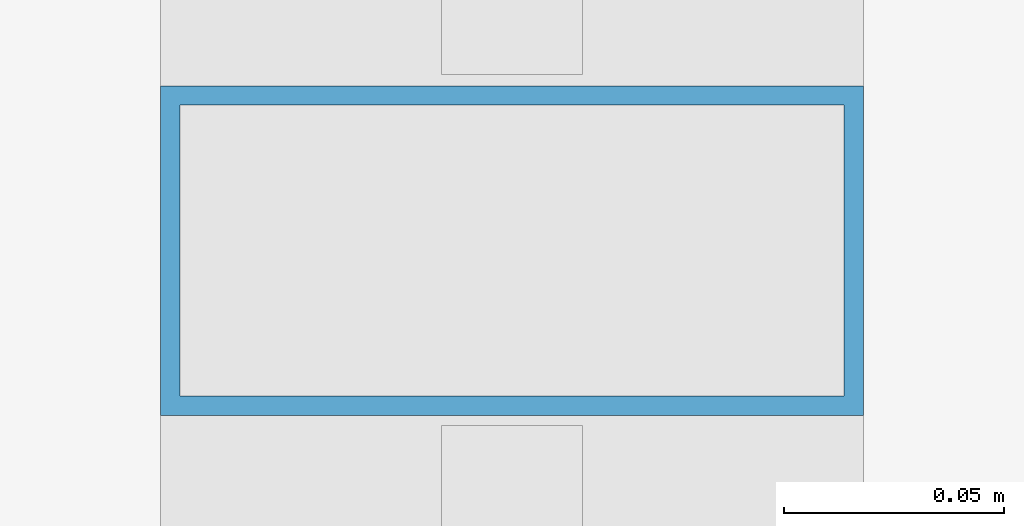
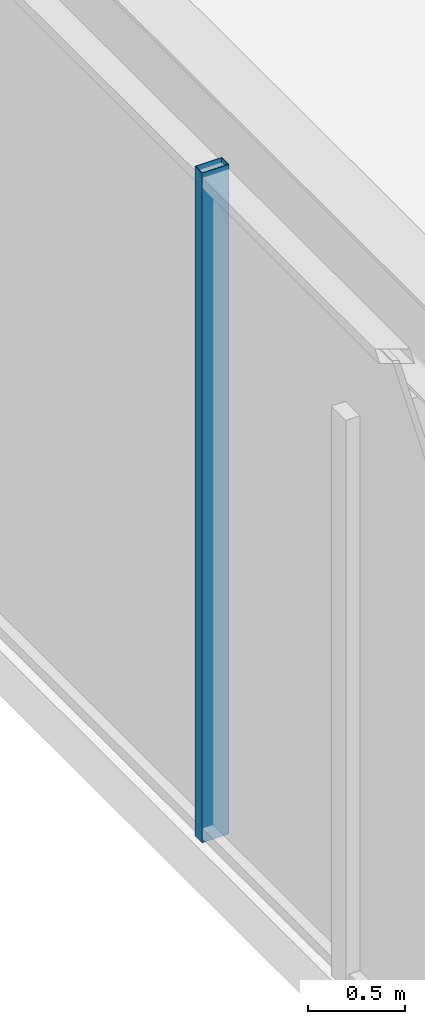
# One storey, part 26 of 47: 1 member, 1 element without a shape of its own.
"""IFC4 building model written with IfcOpenShell, lengths in metres."""

from ifc_helpers import new_model, si_unit, direction, frame, origin, origin_2d, place, context, subcontext, project, spatial, hollow_rectangle, extrude, material, material_profile, profile_set, type_object, element, aggregate, save


model = new_model("IFC4")

# Units and contexts
model_context = context("Model", 3, precision=1e-05, world=origin(), true_north=direction((0.0, 1.0)))
body_context = subcontext(model_context, "Body", "Model", "MODEL_VIEW")
ifc_project = project(units=[si_unit("LENGTHUNIT", "METRE"), si_unit("AREAUNIT", "SQUARE_METRE"), si_unit("VOLUMEUNIT", "CUBIC_METRE"), si_unit("PLANEANGLEUNIT", "RADIAN"), si_unit("MASSUNIT", "GRAM", prefix="KILO")], contexts=[model_context])

# Site, building, storey
site_placement = place(None, origin())
site = spatial("IfcSite", under=ifc_project, at=site_placement, CompositionType="ELEMENT")
building_placement = place(site_placement, origin())
building = spatial("IfcBuilding", under=site, at=building_placement, Name="Kolvaren Belvedere", CompositionType="ELEMENT")
storey_placement = place(building_placement, frame((0.0, 0.0, 5.5)))
storey = spatial("IfcBuildingStorey", under=building, at=storey_placement, Name="L02", CompositionType="ELEMENT", Elevation=5.5)

# Curtain wall, member
ifc_material_1 = material(Name="Anodised pale-metal aluminium AA 6063-T6", Category="aluminium")
curtain_wall_type = type_object("IfcCurtainWallType", Name="CW-POD-A", PredefinedType="NOTDEFINED", material=ifc_material_1)
curtain_wall_placement = place(storey_placement, origin())
curtain_wall = element("IfcCurtainWall", 1, at=curtain_wall_placement, inside=storey, type_object=curtain_wall_type, Name="L02 Unitised Curtain Wall FCW-L02-SEG8", PredefinedType="NOTDEFINED")
ifc_material_2 = material(Name="Anodised pale-metal aluminium AA 6063-T6", Category="aluminium")
ifc_material_profile = material_profile(ifc_material_2, hollow_rectangle(XDim=0.074951171875, YDim=0.159912109375, WallThickness=0.00439453125, at=origin_2d()), Name="ALU-MUL-160X75")
ifc_profile_set = profile_set([ifc_material_profile], Name="Anodised pale-metal aluminium AA 6063-T6")
member_type = type_object("IfcMemberType", Name="CW-MUL-160", PredefinedType="MULLION", material=ifc_profile_set)
member_placement = place(storey_placement, frame((-27.8798828125, 14.199951171875, 0.0), z_axis=(0.0, 0.0, 1.0), x_axis=(0.0, 1.0, 0.0)))
member = element("IfcMember", 2, at=member_placement, type_object=member_type, Name="FCW-L02-SEG8 Unitised Mullion 4", PredefinedType="MULLION", context=body_context, shape_type="SweptSolid", body=[
    extrude(hollow_rectangle(XDim=0.074951171875, YDim=0.159912109375, WallThickness=0.00439453125, at=origin_2d()), origin(), (0.0, 0.0, 1.0), 4.219970703125),
])
aggregate(curtain_wall, [member])

save(model, "model.ifc")
